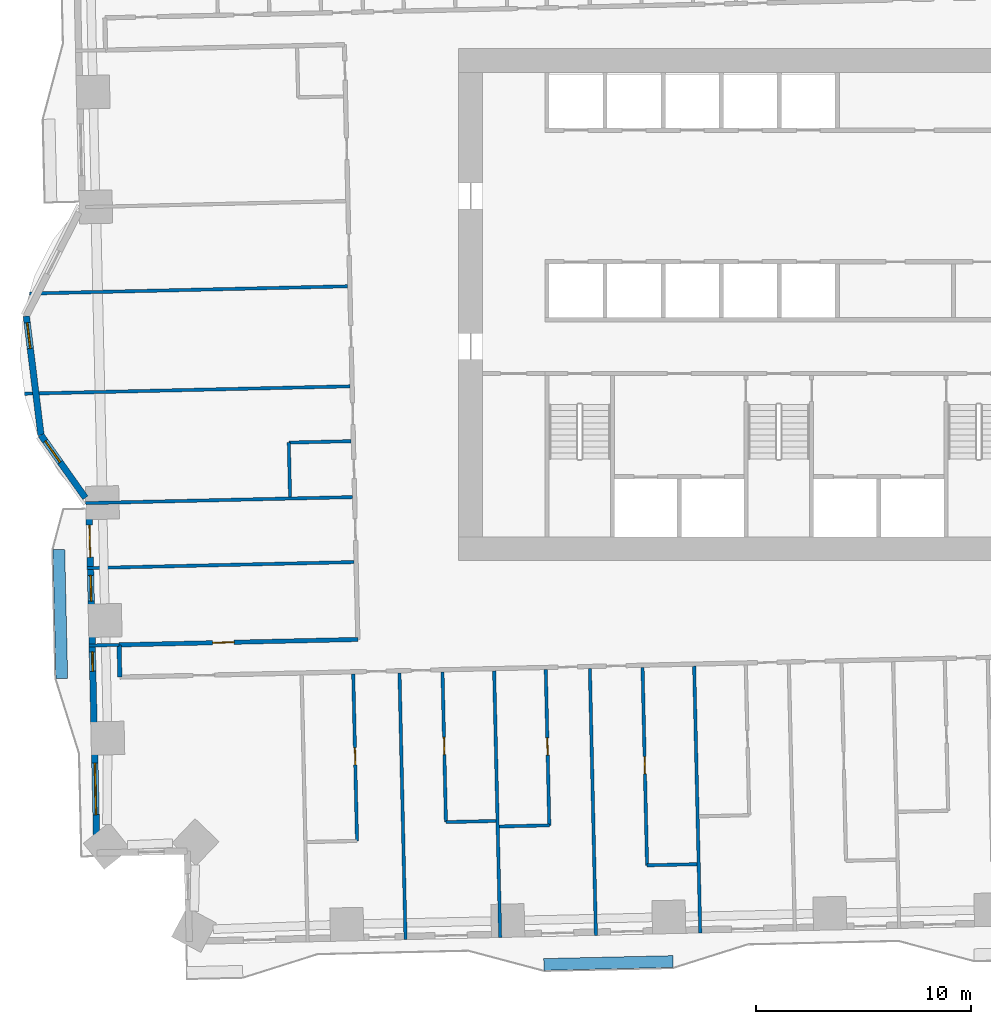
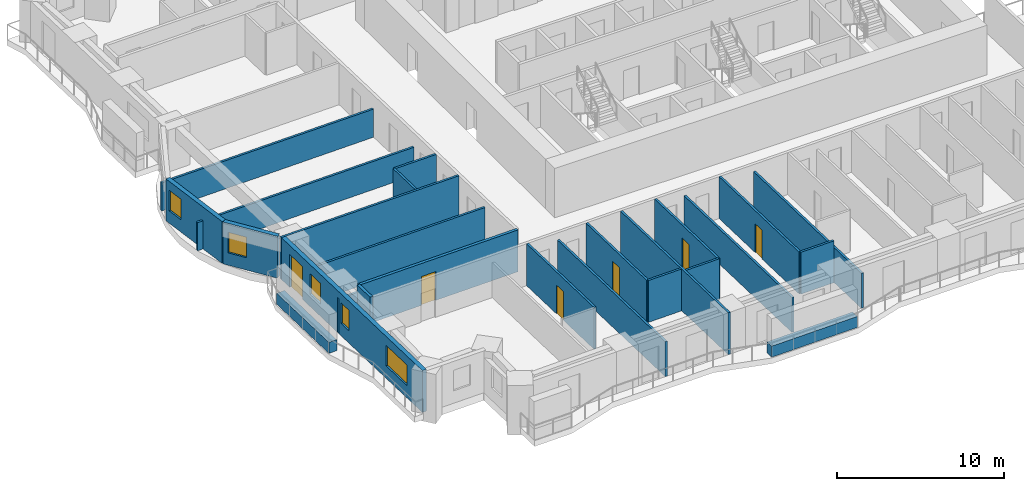
# One storey, part 5 of 16: 25 walls, 6 doors, 5 windows, 11 openings.
"""IFC4 building model written with IfcOpenShell, lengths in metres."""

from ifc_helpers import new_model, si_unit, direction, frame, frame_2d, origin, place, context, subcontext, project, spatial, rectangle, extrude, material, layer, layer_set, type_object, element, fill, save


model = new_model("IFC4")

# Units and contexts
model_context = context("Model", 3, precision=1e-05, world=origin(), true_north=direction((0.0, 1.0)))
body_context = subcontext(model_context, "Body", "Model", "MODEL_VIEW")
ifc_project = project(units=[si_unit("LENGTHUNIT", "METRE"), si_unit("AREAUNIT", "SQUARE_METRE"), si_unit("VOLUMEUNIT", "CUBIC_METRE"), si_unit("PLANEANGLEUNIT", "RADIAN"), si_unit("MASSUNIT", "GRAM", prefix="KILO")], contexts=[model_context])

# Site, building, storey
site_placement = place(None, origin())
site = spatial("IfcSite", under=ifc_project, at=site_placement, CompositionType="ELEMENT")
building_placement = place(site_placement, origin())
building = spatial("IfcBuilding", under=site, at=building_placement, Name="Mangrove Gate Tower", CompositionType="ELEMENT")
storey_placement = place(building_placement, frame((0.0, 0.0, 41.300048828125)))
storey = spatial("IfcBuildingStorey", under=building, at=storey_placement, Name="L09", CompositionType="ELEMENT", Elevation=41.300048828125)

# Wall
ifc_material_1 = material(Name="Gypsum board on steel stud, EI 60", Category="steel")
ifc_layer_1 = layer(ifc_material_1, 0.199951171875)
ifc_layer_set_1 = layer_set([ifc_layer_1], Name="Corridor wall EI 60")
wall_type_1 = type_object("IfcWallType", Name="Corridor wall EI 60", PredefinedType="PARTITIONING", material=ifc_layer_set_1)
wall_1_placement = place(storey_placement, frame((-30.652099609375, -17.31298828125, 0.0), z_axis=(0.0, 0.0, 1.0), x_axis=(-0.022632637625, 0.99974384905, 0.0)))
element("IfcWall", 1, at=wall_1_placement, inside=storey, type_object=wall_type_1, Name="WALL-L09-032", PredefinedType="PARTITIONING", context=body_context, shape_type="SweptSolid", body=[
    extrude(rectangle(XDim=1.49951171875, YDim=0.199951171875, at=frame_2d((0.749755859375, 0.0))), origin(), (0.0, 0.0, 1.0), 3.050048828125),
])

# Wall, opening, door
wall_2_placement = place(storey_placement, frame((-30.68603515625, -15.81396484375, 0.0), z_axis=(0.0, 0.0, 1.0), x_axis=(0.999742346277, 0.022698921993, 0.0)))
wall_2 = element("IfcWall", 2, at=wall_2_placement, inside=storey, type_object=wall_type_1, Name="WALL-L09-035", PredefinedType="PARTITIONING", context=body_context, shape_type="SweptSolid", body=[
    extrude(rectangle(XDim=11.099853515625, YDim=0.199951171875, at=frame_2d((5.5498046875, 0.0))), origin(), (0.0, 0.0, 1.0), 3.050048828125),
])
opening_1_placement = place(wall_2_placement, frame((4.35009765625, 0.0, 0.0)))
opening_1 = element("IfcOpeningElement", 3, at=opening_1_placement, cuts=wall_2, Name="Opening AD", PredefinedType="OPENING", context=body_context, shape_type="SweptSolid", body=[
    extrude(rectangle(XDim=1.0, YDim=2.10009765625, at=frame_2d((0.5, 1.050048828125))), frame((0.0, 0.10986328125, 0.0), z_axis=(0.0, -1.0, 0.0), x_axis=(1.0, 0.0, 0.0)), (0.0, 0.0, 1.0), 0.219970703125),
])
ifc_material_2 = material(Name="Timber door leaf", Category="wood")
door_type_1 = type_object("IfcDoorType", Name="Amenity door 1000", OperationType="SINGLE_SWING_LEFT", PredefinedType="DOOR", material=ifc_material_2)
door_1_placement = place(opening_1_placement, origin())
door_1 = element("IfcDoor", 4, at=door_1_placement, inside=storey, type_object=door_type_1, Name="DOOR-L09-KIT-c5b", OperationType="SINGLE_SWING_RIGHT", OverallHeight=2.10009765625, OverallWidth=1.0, PredefinedType="DOOR", context=body_context, shape_type="SweptSolid", body=[
    extrude(rectangle(XDim=1.0, YDim=2.10009765625, at=frame_2d((0.5, 1.050048828125))), frame((0.0, 0.02490234375, 0.0), z_axis=(0.0, -1.0, 0.0), x_axis=(1.0, 0.0, 0.0)), (0.0, 0.0, 1.0), 0.050048828125),
])
fill(opening_1, door_1)

# Wall, opening, window
ifc_material_3 = material(Name="Limestone", Category="masonry")
ifc_layer_2 = layer(ifc_material_3, 0.0400390625, Name="Limestone cladding")
ifc_material_4 = material(Name="Ventilated air gap")
ifc_layer_3 = layer(ifc_material_4, 0.0400390625, Name="Ventilated cavity")
ifc_material_5 = material(Name="Mineral wool insulation")
ifc_layer_4 = layer(ifc_material_5, 0.06005859375, Name="Insulation")
ifc_material_6 = material(Name="Breather membrane")
ifc_layer_5 = layer(ifc_material_6, 0.001953125, Name="Breather membrane")
ifc_material_7 = material(Name="Concrete C20/25 blockwork", Category="masonry")
ifc_layer_6 = layer(ifc_material_7, 0.14990234375, Name="Blockwork backing wall")
ifc_material_8 = material(Name="Gypsum plaster")
ifc_layer_7 = layer(ifc_material_8, 0.008056640625, Name="Internal plaster")
ifc_layer_set_2 = layer_set([ifc_layer_2, ifc_layer_3, ifc_layer_4, ifc_layer_5, ifc_layer_6, ifc_layer_7], Name="External wall 300 limestone cladding")
wall_type_2 = type_object("IfcWallType", Name="External wall 300 limestone cladding", PredefinedType="SOLIDWALL", material=ifc_layer_set_2)
wall_3_placement = place(storey_placement, frame((-34.99609375, -0.533935546875, 0.0), z_axis=(0.0, 0.0, 1.0), x_axis=(0.122206978992, -0.992504636909, 0.0)))
wall_3 = element("IfcWall", 5, at=wall_3_placement, inside=storey, type_object=wall_type_2, Name="WALL-L09-W9f2", PredefinedType="SOLIDWALL", context=body_context, shape_type="SweptSolid", body=[
    extrude(rectangle(XDim=5.57373046875, YDim=0.300048828125, at=frame_2d((2.786865234375, 0.0))), origin(), (0.0, 0.0, 1.0), 3.050048828125),
])
opening_2_placement = place(wall_3_placement, frame((0.31494140625, 0.0, 0.89990234375)))
opening_2 = element("IfcOpeningElement", 6, at=opening_2_placement, cuts=wall_3, Name="Opening W1", PredefinedType="OPENING", context=body_context, shape_type="SweptSolid", body=[
    extrude(rectangle(XDim=1.199951171875, YDim=1.5, at=frame_2d((0.60009765625, 0.75))), frame((0.0, 0.159912109375, 0.0), z_axis=(0.0, -1.0, 0.0), x_axis=(1.0, 0.0, 0.0)), (0.0, 0.0, 1.0), 0.320068359375),
])
ifc_material_9 = material(Name="Aluminium frame with double-glazed low-e glass", Category="aluminium")
window_type_1 = type_object("IfcWindowType", Name="Side lite 1200x1500", PartitioningType="SINGLE_PANEL", PredefinedType="WINDOW", material=ifc_material_9)
window_1_placement = place(opening_2_placement, origin())
window_1 = element("IfcWindow", 7, at=window_1_placement, inside=storey, type_object=window_type_1, Name="WIN-L09-W9f2", OverallHeight=1.5, OverallWidth=1.199951171875, PartitioningType="SINGLE_PANEL", PredefinedType="WINDOW", context=body_context, shape_type="SweptSolid", body=[
    extrude(rectangle(XDim=1.199951171875, YDim=1.5, at=frame_2d((0.60009765625, 0.75))), frame((0.0, 0.030029296875, 0.0), z_axis=(0.0, -1.0, 0.0), x_axis=(1.0, 0.0, 0.0)), (0.0, 0.0, 1.0), 0.06005859375),
])
fill(opening_2, window_1)

wall_4_placement = place(storey_placement, frame((-34.31494140625, -6.06591796875, 0.0), z_axis=(0.0, 0.0, 1.0), x_axis=(0.578062893695, -0.815992212544, 0.0)))
wall_4 = element("IfcWall", 8, at=wall_4_placement, inside=storey, type_object=wall_type_2, Name="WALL-L09-W9f3", PredefinedType="SOLIDWALL", context=body_context, shape_type="SweptSolid", body=[
    extrude(rectangle(XDim=3.56884765625, YDim=0.300048828125, at=frame_2d((1.784423828125, 0.0))), origin(), (0.0, 0.0, 1.0), 3.050048828125),
])
opening_3_placement = place(wall_4_placement, frame((0.337890625, 0.0, 0.89990234375)))
opening_3 = element("IfcOpeningElement", 9, at=opening_3_placement, cuts=wall_4, Name="Opening W1", PredefinedType="OPENING", context=body_context, shape_type="SweptSolid", body=[
    extrude(rectangle(XDim=1.199951171875, YDim=1.5, at=frame_2d((0.60009765625, 0.75))), frame((0.0, 0.159912109375, 0.0), z_axis=(0.0, -1.0, 0.0), x_axis=(1.0, 0.0, 0.0)), (0.0, 0.0, 1.0), 0.320068359375),
])
window_2_placement = place(opening_3_placement, origin())
window_2 = element("IfcWindow", 10, at=window_2_placement, inside=storey, type_object=window_type_1, Name="WIN-L09-W9f3", OverallHeight=1.5, OverallWidth=1.199951171875, PartitioningType="SINGLE_PANEL", PredefinedType="WINDOW", context=body_context, shape_type="SweptSolid", body=[
    extrude(rectangle(XDim=1.199951171875, YDim=1.5, at=frame_2d((0.60009765625, 0.75))), frame((0.0, 0.030029296875, 0.0), z_axis=(0.0, -1.0, 0.0), x_axis=(1.0, 0.0, 0.0)), (0.0, 0.0, 1.0), 0.06005859375),
])
fill(opening_3, window_2)

# Wall, openings, door, windows
wall_5_placement = place(storey_placement, frame((-32.0869140625, -9.1640625, 0.0), z_axis=(0.0, 0.0, 1.0), x_axis=(0.022651102902, -0.999743430855, 0.0)))
wall_5 = element("IfcWall", 11, at=wall_5_placement, inside=storey, type_object=wall_type_2, Name="WALL-L09-W10", PredefinedType="SOLIDWALL", context=body_context, shape_type="SweptSolid", body=[
    extrude(rectangle(XDim=16.3291015625, YDim=0.300048828125, at=frame_2d((8.16455078125, 0.0))), origin(), (0.0, 0.0, 1.0), 3.050048828125),
])
opening_4_placement = place(wall_5_placement, frame((1.0791015625, 0.0, 0.0)))
opening_4 = element("IfcOpeningElement", 12, at=opening_4_placement, cuts=wall_5, Name="Opening BD1", PredefinedType="OPENING", context=body_context, shape_type="SweptSolid", body=[
    extrude(rectangle(XDim=1.5, YDim=2.39990234375, at=frame_2d((0.75, 1.199951171875))), frame((0.0, 0.159912109375, 0.0), z_axis=(0.0, -1.0, 0.0), x_axis=(1.0, 0.0, 0.0)), (0.0, 0.0, 1.0), 0.320068359375),
])
opening_5_placement = place(wall_5_placement, frame((3.4169921875, 0.0, 0.89990234375)))
opening_5 = element("IfcOpeningElement", 13, at=opening_5_placement, cuts=wall_5, Name="Opening W1", PredefinedType="OPENING", context=body_context, shape_type="SweptSolid", body=[
    extrude(rectangle(XDim=1.199951171875, YDim=1.5, at=frame_2d((0.60009765625, 0.75))), frame((0.0, 0.159912109375, 0.0), z_axis=(0.0, -1.0, 0.0), x_axis=(1.0, 0.0, 0.0)), (0.0, 0.0, 1.0), 0.320068359375),
])
opening_6_placement = place(wall_5_placement, frame((6.97900390625, 0.0, 0.89990234375)))
opening_6 = element("IfcOpeningElement", 14, at=opening_6_placement, cuts=wall_5, Name="Opening W5", PredefinedType="OPENING", context=body_context, shape_type="SweptSolid", body=[
    extrude(rectangle(XDim=0.89990234375, YDim=1.5, at=frame_2d((0.449951171875, 0.75))), frame((0.0, 0.159912109375, 0.0), z_axis=(0.0, -1.0, 0.0), x_axis=(1.0, 0.0, 0.0)), (0.0, 0.0, 1.0), 0.320068359375),
])
opening_7_placement = place(wall_5_placement, frame((12.14990234375, 0.0, 0.89990234375)))
opening_7 = element("IfcOpeningElement", 15, at=opening_7_placement, cuts=wall_5, Name="Opening W2", PredefinedType="OPENING", context=body_context, shape_type="SweptSolid", body=[
    extrude(rectangle(XDim=2.39990234375, YDim=1.5, at=frame_2d((1.199951171875, 0.75))), frame((0.0, 0.159912109375, 0.0), z_axis=(0.0, -1.0, 0.0), x_axis=(1.0, 0.0, 0.0)), (0.0, 0.0, 1.0), 0.320068359375),
])
ifc_material_10 = material(Name="Aluminium frame with laminated clear glass", Category="aluminium")
door_type_2 = type_object("IfcDoorType", Name="Balcony sliding door 1500x2400", OperationType="SLIDING_TO_LEFT", PredefinedType="DOOR", material=ifc_material_10)
door_2_placement = place(opening_4_placement, origin())
door_2 = element("IfcDoor", 16, at=door_2_placement, inside=storey, type_object=door_type_2, Name="DOOR-L09-W10-1", OperationType="SLIDING_TO_LEFT", OverallHeight=2.39990234375, OverallWidth=1.5, PredefinedType="DOOR", context=body_context, shape_type="SweptSolid", body=[
    extrude(rectangle(XDim=1.5, YDim=2.39990234375, at=frame_2d((0.75, 1.199951171875))), frame((0.0, 0.02490234375, 0.0), z_axis=(0.0, -1.0, 0.0), x_axis=(1.0, 0.0, 0.0)), (0.0, 0.0, 1.0), 0.050048828125),
])
fill(opening_4, door_2)
ifc_material_11 = material(Name="Aluminium frame with double-glazed low-e glass", Category="aluminium")
window_type_2 = type_object("IfcWindowType", Name="Corner room window 2400x1500", PartitioningType="DOUBLE_PANEL_VERTICAL", PredefinedType="WINDOW", material=ifc_material_11)
window_3_placement = place(opening_7_placement, origin())
window_3 = element("IfcWindow", 17, at=window_3_placement, inside=storey, type_object=window_type_2, Name="WIN-L09-W10-4", OverallHeight=1.5, OverallWidth=2.39990234375, PartitioningType="DOUBLE_PANEL_VERTICAL", PredefinedType="WINDOW", context=body_context, shape_type="SweptSolid", body=[
    extrude(rectangle(XDim=2.39990234375, YDim=1.5, at=frame_2d((1.199951171875, 0.75))), frame((0.0, 0.030029296875, 0.0), z_axis=(0.0, -1.0, 0.0), x_axis=(1.0, 0.0, 0.0)), (0.0, 0.0, 1.0), 0.06005859375),
])
fill(opening_7, window_3)
ifc_material_12 = material(Name="Aluminium frame with double-glazed low-e glass", Category="aluminium")
window_type_3 = type_object("IfcWindowType", Name="Narrow window 900x1500", PartitioningType="SINGLE_PANEL", PredefinedType="WINDOW", material=ifc_material_12)
window_4_placement = place(opening_6_placement, origin())
window_4 = element("IfcWindow", 18, at=window_4_placement, inside=storey, type_object=window_type_3, Name="WIN-L09-W10-3", OverallHeight=1.5, OverallWidth=0.89990234375, PartitioningType="SINGLE_PANEL", PredefinedType="WINDOW", context=body_context, shape_type="SweptSolid", body=[
    extrude(rectangle(XDim=0.89990234375, YDim=1.5, at=frame_2d((0.449951171875, 0.75))), frame((0.0, 0.030029296875, 0.0), z_axis=(0.0, -1.0, 0.0), x_axis=(1.0, 0.0, 0.0)), (0.0, 0.0, 1.0), 0.06005859375),
])
fill(opening_6, window_4)
window_5_placement = place(opening_5_placement, origin())
window_5 = element("IfcWindow", 19, at=window_5_placement, inside=storey, type_object=window_type_1, Name="WIN-L09-W10-2", OverallHeight=1.5, OverallWidth=1.199951171875, PartitioningType="SINGLE_PANEL", PredefinedType="WINDOW", context=body_context, shape_type="SweptSolid", body=[
    extrude(rectangle(XDim=1.199951171875, YDim=1.5, at=frame_2d((0.60009765625, 0.75))), frame((0.0, 0.030029296875, 0.0), z_axis=(0.0, -1.0, 0.0), x_axis=(1.0, 0.0, 0.0)), (0.0, 0.0, 1.0), 0.06005859375),
])
fill(opening_5, window_5)

# Walls
ifc_material_13 = material(Name="Gypsum board on steel stud, EI 60", Category="steel")
ifc_layer_8 = layer(ifc_material_13, 0.14990234375)
ifc_layer_set_3 = layer_set([ifc_layer_8], Name="Party wall 150 EI 60")
wall_type_3 = type_object("IfcWallType", Name="Party wall 150 EI 60", PredefinedType="PARTITIONING", material=ifc_layer_set_3)
wall_6_placement = place(storey_placement, frame((-17.3720703125, -29.514892578125, 0.0), z_axis=(0.0, 0.0, 1.0), x_axis=(-0.022661475803, 0.999743195783, 0.0)))
element("IfcWall", 20, at=wall_6_placement, inside=storey, type_object=wall_type_3, Name="WALL-L09-002", PredefinedType="PARTITIONING", context=body_context, shape_type="SweptSolid", body=[
    extrude(rectangle(XDim=12.400146484375, YDim=0.14990234375, at=frame_2d((6.2001953125, 0.0))), origin(), (0.0, 0.0, 1.0), 2.550048828125),
])
wall_7_placement = place(storey_placement, frame((-12.972900390625, -29.4150390625, 0.0), z_axis=(0.0, 0.0, 1.0), x_axis=(-0.022661475803, 0.999743195783, 0.0)))
element("IfcWall", 21, at=wall_7_placement, inside=storey, type_object=wall_type_3, Name="WALL-L09-003", PredefinedType="PARTITIONING", context=body_context, shape_type="SweptSolid", body=[
    extrude(rectangle(XDim=12.400146484375, YDim=0.14990234375, at=frame_2d((6.2001953125, 0.0))), origin(), (0.0, 0.0, 1.0), 3.050048828125),
])
wall_8_placement = place(storey_placement, frame((-8.52392578125, -29.31396484375, 0.0), z_axis=(0.0, 0.0, 1.0), x_axis=(-0.022661475803, 0.999743195783, 0.0)))
element("IfcWall", 22, at=wall_8_placement, inside=storey, type_object=wall_type_3, Name="WALL-L09-004", PredefinedType="PARTITIONING", context=body_context, shape_type="SweptSolid", body=[
    extrude(rectangle(XDim=12.400146484375, YDim=0.14990234375, at=frame_2d((6.2001953125, 0.0))), origin(), (0.0, 0.0, 1.0), 2.550048828125),
])
wall_9_placement = place(storey_placement, frame((-3.675048828125, -29.2041015625, 0.0), z_axis=(0.0, 0.0, 1.0), x_axis=(-0.022739741597, 0.999741418644, 0.0)))
element("IfcWall", 23, at=wall_9_placement, inside=storey, type_object=wall_type_3, Name="WALL-L09-005", PredefinedType="PARTITIONING", context=body_context, shape_type="SweptSolid", body=[
    extrude(rectangle(XDim=12.400390625, YDim=0.14990234375, at=frame_2d((6.2001953125, 0.0))), origin(), (0.0, 0.0, 1.0), 2.550048828125),
])
wall_10_placement = place(storey_placement, frame((-6.14697265625, -26.05908203125, 0.0), z_axis=(0.0, 0.0, 1.0), x_axis=(0.999749744571, 0.022370700241, 0.0)))
element("IfcWall", 24, at=wall_10_placement, inside=storey, type_object=wall_type_3, Name="WALL-L09-011", PredefinedType="PARTITIONING", context=body_context, shape_type="SweptSolid", body=[
    extrude(rectangle(XDim=2.324462890625, YDim=0.14990234375, at=frame_2d((1.162109375, 0.0))), origin(), (0.0, 0.0, 1.0), 3.050048828125),
])

# Wall, opening, door
wall_11_placement = place(storey_placement, frame((-6.14697265625, -26.05908203125, 0.0), z_axis=(0.0, 0.0, 1.0), x_axis=(-0.022717185456, 0.999741931443, 0.0)))
wall_11 = element("IfcWall", 25, at=wall_11_placement, inside=storey, type_object=wall_type_3, Name="WALL-L09-012", PredefinedType="PARTITIONING", context=body_context, shape_type="SweptSolid", body=[
    extrude(rectangle(XDim=9.199462890625, YDim=0.14990234375, at=frame_2d((4.599609375, 0.0))), origin(), (0.0, 0.0, 1.0), 3.050048828125),
])
opening_8_placement = place(wall_11_placement, frame((4.25, 0.0, 0.0)))
opening_8 = element("IfcOpeningElement", 26, at=opening_8_placement, cuts=wall_11, Name="Opening ED", PredefinedType="OPENING", context=body_context, shape_type="SweptSolid", body=[
    extrude(rectangle(XDim=0.800048828125, YDim=2.10009765625, at=frame_2d((0.39990234375, 1.050048828125))), frame((0.0, 0.0849609375, 0.0), z_axis=(0.0, -1.0, 0.0), x_axis=(1.0, 0.0, 0.0)), (0.0, 0.0, 1.0), 0.169921875),
])
ifc_material_14 = material(Name="Timber door leaf", Category="wood")
door_type_3 = type_object("IfcDoorType", Name="En-suite door 800", OperationType="SINGLE_SWING_LEFT", PredefinedType="DOOR", material=ifc_material_14)
door_3_placement = place(opening_8_placement, origin())
door_3 = element("IfcDoor", 27, at=door_3_placement, inside=storey, type_object=door_type_3, Name="DOOR-L09-ENS-c104", OperationType="SINGLE_SWING_RIGHT", OverallHeight=2.10009765625, OverallWidth=0.800048828125, PredefinedType="DOOR", context=body_context, shape_type="SweptSolid", body=[
    extrude(rectangle(XDim=0.800048828125, YDim=2.10009765625, at=frame_2d((0.39990234375, 1.050048828125))), frame((0.0, 0.02490234375, 0.0), z_axis=(0.0, -1.0, 0.0), x_axis=(1.0, 0.0, 0.0)), (0.0, 0.0, 1.0), 0.050048828125),
])
fill(opening_8, door_3)

wall_12_placement = place(storey_placement, frame((-19.626953125, -24.925048828125, 0.0), z_axis=(0.0, 0.0, 1.0), x_axis=(-0.022683528451, 0.999742695666, 0.0)))
wall_12 = element("IfcWall", 28, at=wall_12_placement, inside=storey, type_object=wall_type_3, Name="WALL-L09-018", PredefinedType="PARTITIONING", context=body_context, shape_type="SweptSolid", body=[
    extrude(rectangle(XDim=7.760009765625, YDim=0.14990234375, at=frame_2d((3.8798828125, 0.0))), origin(), (0.0, 0.0, 1.0), 3.050048828125),
])
opening_9_placement = place(wall_12_placement, frame((3.530029296875, 0.0, 0.0)))
opening_9 = element("IfcOpeningElement", 29, at=opening_9_placement, cuts=wall_12, Name="Opening ED", PredefinedType="OPENING", context=body_context, shape_type="SweptSolid", body=[
    extrude(rectangle(XDim=0.800048828125, YDim=2.10009765625, at=frame_2d((0.39990234375, 1.050048828125))), frame((0.0, 0.0849609375, 0.0), z_axis=(0.0, -1.0, 0.0), x_axis=(1.0, 0.0, 0.0)), (0.0, 0.0, 1.0), 0.169921875),
])
door_4_placement = place(opening_9_placement, origin())
door_4 = element("IfcDoor", 30, at=door_4_placement, inside=storey, type_object=door_type_3, Name="DOOR-L09-ENS-c101", OperationType="SINGLE_SWING_LEFT", OverallHeight=2.10009765625, OverallWidth=0.800048828125, PredefinedType="DOOR", context=body_context, shape_type="SweptSolid", body=[
    extrude(rectangle(XDim=0.800048828125, YDim=2.10009765625, at=frame_2d((0.39990234375, 1.050048828125))), frame((0.0, 0.02490234375, 0.0), z_axis=(0.0, -1.0, 0.0), x_axis=(1.0, 0.0, 0.0)), (0.0, 0.0, 1.0), 0.050048828125),
])
fill(opening_9, door_4)

# Wall
wall_13_placement = place(storey_placement, frame((-13.014892578125, -24.2548828125, 0.0), z_axis=(0.0, 0.0, 1.0), x_axis=(0.999740260747, 0.02279059109, 0.0)))
element("IfcWall", 31, at=wall_13_placement, inside=storey, type_object=wall_type_3, Name="WALL-L09-019", PredefinedType="PARTITIONING", context=body_context, shape_type="SweptSolid", body=[
    extrude(rectangle(XDim=2.324462890625, YDim=0.14990234375, at=frame_2d((1.162109375, 0.0))), origin(), (0.0, 0.0, 1.0), 3.050048828125),
])

# Wall, opening, door
wall_14_placement = place(storey_placement, frame((-10.69091796875, -24.201904296875, 0.0), z_axis=(0.0, 0.0, 1.0), x_axis=(-0.022661655024, 0.999743191721, 0.0)))
wall_14 = element("IfcWall", 32, at=wall_14_placement, inside=storey, type_object=wall_type_3, Name="WALL-L09-020", PredefinedType="PARTITIONING", context=body_context, shape_type="SweptSolid", body=[
    extrude(rectangle(XDim=7.23974609375, YDim=0.14990234375, at=frame_2d((3.619873046875, 0.0))), origin(), (0.0, 0.0, 1.0), 3.050048828125),
])
opening_10_placement = place(wall_14_placement, frame((3.27001953125, 0.0, 0.0)))
opening_10 = element("IfcOpeningElement", 33, at=opening_10_placement, cuts=wall_14, Name="Opening ED", PredefinedType="OPENING", context=body_context, shape_type="SweptSolid", body=[
    extrude(rectangle(XDim=0.800048828125, YDim=2.10009765625, at=frame_2d((0.39990234375, 1.050048828125))), frame((0.0, 0.0849609375, 0.0), z_axis=(0.0, -1.0, 0.0), x_axis=(1.0, 0.0, 0.0)), (0.0, 0.0, 1.0), 0.169921875),
])
door_5_placement = place(opening_10_placement, origin())
door_5 = element("IfcDoor", 34, at=door_5_placement, inside=storey, type_object=door_type_3, Name="DOOR-L09-ENS-c103", OperationType="SINGLE_SWING_LEFT", OverallHeight=2.10009765625, OverallWidth=0.800048828125, PredefinedType="DOOR", context=body_context, shape_type="SweptSolid", body=[
    extrude(rectangle(XDim=0.800048828125, YDim=2.10009765625, at=frame_2d((0.39990234375, 1.050048828125))), frame((0.0, 0.02490234375, 0.0), z_axis=(0.0, -1.0, 0.0), x_axis=(1.0, 0.0, 0.0)), (0.0, 0.0, 1.0), 0.050048828125),
])
fill(opening_10, door_5)

# Wall
wall_15_placement = place(storey_placement, frame((-15.4951171875, -24.051025390625, 0.0), z_axis=(0.0, 0.0, 1.0), x_axis=(0.99974031529, 0.022788198363, 0.0)))
element("IfcWall", 35, at=wall_15_placement, inside=storey, type_object=wall_type_3, Name="WALL-L09-021", PredefinedType="PARTITIONING", context=body_context, shape_type="SweptSolid", body=[
    extrude(rectangle(XDim=2.32470703125, YDim=0.14990234375, at=frame_2d((1.162353515625, 0.0))), origin(), (0.0, 0.0, 1.0), 3.050048828125),
])

# Wall, opening, door
wall_16_placement = place(storey_placement, frame((-15.4951171875, -24.051025390625, 0.0), z_axis=(0.0, 0.0, 1.0), x_axis=(-0.022770667039, 0.999740714747, 0.0)))
wall_16 = element("IfcWall", 36, at=wall_16_placement, inside=storey, type_object=wall_type_3, Name="WALL-L09-022", PredefinedType="PARTITIONING", context=body_context, shape_type="SweptSolid", body=[
    extrude(rectangle(XDim=6.979736328125, YDim=0.14990234375, at=frame_2d((3.48974609375, 0.0))), origin(), (0.0, 0.0, 1.0), 3.050048828125),
])
opening_11_placement = place(wall_16_placement, frame((3.139892578125, 0.0, 0.0)))
opening_11 = element("IfcOpeningElement", 37, at=opening_11_placement, cuts=wall_16, Name="Opening ED", PredefinedType="OPENING", context=body_context, shape_type="SweptSolid", body=[
    extrude(rectangle(XDim=0.800048828125, YDim=2.10009765625, at=frame_2d((0.39990234375, 1.050048828125))), frame((0.0, 0.0849609375, 0.0), z_axis=(0.0, -1.0, 0.0), x_axis=(1.0, 0.0, 0.0)), (0.0, 0.0, 1.0), 0.169921875),
])
door_6_placement = place(opening_11_placement, origin())
door_6 = element("IfcDoor", 38, at=door_6_placement, inside=storey, type_object=door_type_3, Name="DOOR-L09-ENS-c102", OperationType="SINGLE_SWING_RIGHT", OverallHeight=2.10009765625, OverallWidth=0.800048828125, PredefinedType="DOOR", context=body_context, shape_type="SweptSolid", body=[
    extrude(rectangle(XDim=0.800048828125, YDim=2.10009765625, at=frame_2d((0.39990234375, 1.050048828125))), frame((0.0, 0.02490234375, 0.0), z_axis=(0.0, -1.0, 0.0), x_axis=(1.0, 0.0, 0.0)), (0.0, 0.0, 1.0), 0.050048828125),
])
fill(opening_11, door_6)

# Walls
wall_17_placement = place(storey_placement, frame((-32.0859375, -15.844970703125, 0.0), z_axis=(0.0, 0.0, 1.0), x_axis=(0.999740667531, 0.022772739949, 0.0)))
element("IfcWall", 39, at=wall_17_placement, inside=storey, type_object=wall_type_3, Name="WALL-L09-034", PredefinedType="PARTITIONING", context=body_context, shape_type="SweptSolid", body=[
    extrude(rectangle(XDim=1.404296875, YDim=0.14990234375, at=frame_2d((0.7021484375, 0.0))), origin(), (0.0, 0.0, 1.0), 2.550048828125),
])
wall_18_placement = place(storey_placement, frame((-32.1669921875, -12.24609375, 0.0), z_axis=(0.0, 0.0, 1.0), x_axis=(0.999743155335, 0.022663260168, 0.0)))
element("IfcWall", 40, at=wall_18_placement, inside=storey, type_object=wall_type_3, Name="WALL-L09-040", PredefinedType="PARTITIONING", context=body_context, shape_type="SweptSolid", body=[
    extrude(rectangle(XDim=12.399169921875, YDim=0.14990234375, at=frame_2d((6.19970703125, 0.0))), origin(), (0.0, 0.0, 1.0), 2.550048828125),
])
wall_19_placement = place(storey_placement, frame((-32.236083984375, -9.22705078125, 0.0), z_axis=(0.0, 0.0, 1.0), x_axis=(0.999743195783, 0.022661475803, 0.0)))
element("IfcWall", 41, at=wall_19_placement, inside=storey, type_object=wall_type_3, Name="WALL-L09-041", PredefinedType="PARTITIONING", context=body_context, shape_type="SweptSolid", body=[
    extrude(rectangle(XDim=12.400146484375, YDim=0.14990234375, at=frame_2d((6.2001953125, 0.0))), origin(), (0.0, 0.0, 1.0), 3.050048828125),
])
wall_20_placement = place(storey_placement, frame((-22.739990234375, -8.930908203125, 0.0), z_axis=(0.0, 0.0, 1.0), x_axis=(-0.023015762656, 0.999735102249, 0.0)))
element("IfcWall", 42, at=wall_20_placement, inside=storey, type_object=wall_type_3, Name="WALL-L09-042", PredefinedType="PARTITIONING", context=body_context, shape_type="SweptSolid", body=[
    extrude(rectangle(XDim=2.524658203125, YDim=0.14990234375, at=frame_2d((1.26220703125, 0.0))), origin(), (0.0, 0.0, 1.0), 3.050048828125),
])
wall_21_placement = place(storey_placement, frame((-22.797119140625, -6.412109375, 0.0), z_axis=(0.0, 0.0, 1.0), x_axis=(0.999739701447, 0.022815112345, 0.0)))
element("IfcWall", 43, at=wall_21_placement, inside=storey, type_object=wall_type_3, Name="WALL-L09-043", PredefinedType="PARTITIONING", context=body_context, shape_type="SweptSolid", body=[
    extrude(rectangle(XDim=2.89990234375, YDim=0.14990234375, at=frame_2d((1.449951171875, 0.0))), origin(), (0.0, 0.0, 1.0), 3.050048828125),
])
wall_22_placement = place(storey_placement, frame((-35.0791015625, -4.139892578125, 0.0), z_axis=(0.0, 0.0, 1.0), x_axis=(0.999743233457, 0.022659813699, 0.0)))
element("IfcWall", 44, at=wall_22_placement, inside=storey, type_object=wall_type_3, Name="WALL-L09-044", PredefinedType="PARTITIONING", context=body_context, shape_type="SweptSolid", body=[
    extrude(rectangle(XDim=15.126953125, YDim=0.14990234375, at=frame_2d((7.5634765625, 0.0))), origin(), (0.0, 0.0, 1.0), 2.050048828125),
])
wall_23_placement = place(storey_placement, frame((-34.85205078125, 0.51611328125, 0.0), z_axis=(0.0, 0.0, 1.0), x_axis=(0.999742142166, 0.022707909997, 0.0)))
element("IfcWall", 45, at=wall_23_placement, inside=storey, type_object=wall_type_3, Name="WALL-L09-045", PredefinedType="PARTITIONING", context=body_context, shape_type="SweptSolid", body=[
    extrude(rectangle(XDim=14.7939453125, YDim=0.14990234375, at=frame_2d((7.39697265625, 0.0))), origin(), (0.0, 0.0, 1.0), 2.050048828125),
])
ifc_material_15 = material(Name="Concrete C32/40", Category="concrete")
ifc_layer_9 = layer(ifc_material_15, 0.199951171875, Name="Planter trough wall")
ifc_material_16 = material(Name="Bituminous waterproofing membrane")
ifc_layer_10 = layer(ifc_material_16, 0.0048828125, Name="Waterproofing")
ifc_material_17 = material(Name="Drainage board and gravel")
ifc_layer_11 = layer(ifc_material_17, 0.044921875, Name="Drainage layer")
ifc_material_18 = material(Name="Planting soil")
ifc_layer_12 = layer(ifc_material_18, 0.300048828125, Name="Growing medium")
ifc_layer_set_4 = layer_set([ifc_layer_9, ifc_layer_10, ifc_layer_11, ifc_layer_12], Name="Planter wall 550 C32/40")
wall_type_4 = type_object("IfcWallType", Name="Planter wall 550 C32/40", PredefinedType="USERDEFINED", material=ifc_layer_set_4)
for number, where, z_axis, x_axis, name in (
    (46, (-33.35107421875, -17.3740234375, 0.0), (0.0, 0.0, 1.0), (-0.022665943652, 0.999743094499, 0.0), "PLANTER L09 W1.1"),
    (47, (-10.944091796875, -30.6689453125, 0.0), (0.0, 0.0, 1.0), (0.999743094499, 0.022665943652, 0.0), "PLANTER L09 S0.2"),
):
    element("IfcWall", number, at=place(storey_placement, frame(where, z_axis=z_axis, x_axis=x_axis)), inside=storey, type_object=wall_type_4, Name=name, ObjectType="PLANTER", PredefinedType="USERDEFINED", context=body_context, shape_type="SweptSolid", body=[
        extrude(rectangle(XDim=5.99951171875, YDim=0.550048828125, at=frame_2d((2.999755859375, 0.0))), origin(), (0.0, 0.0, 1.0), 0.800048828125),
    ])

save(model, "model.ifc")
